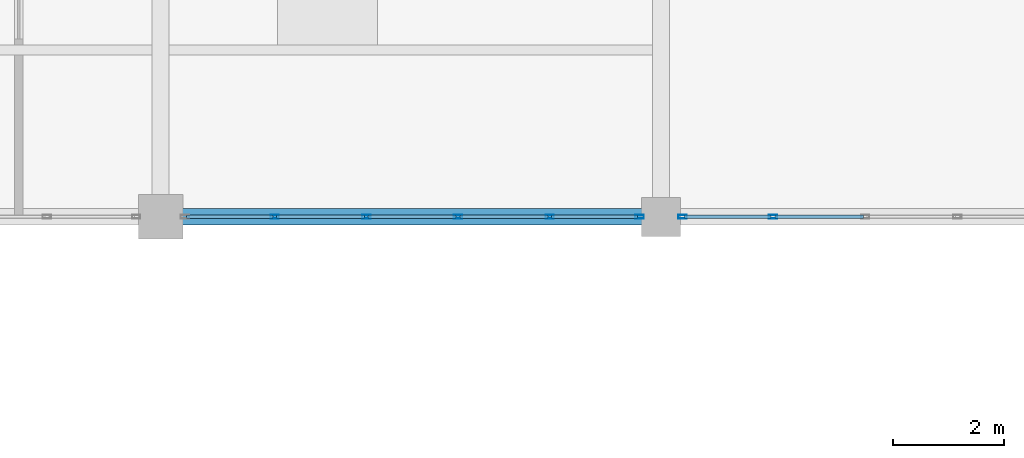
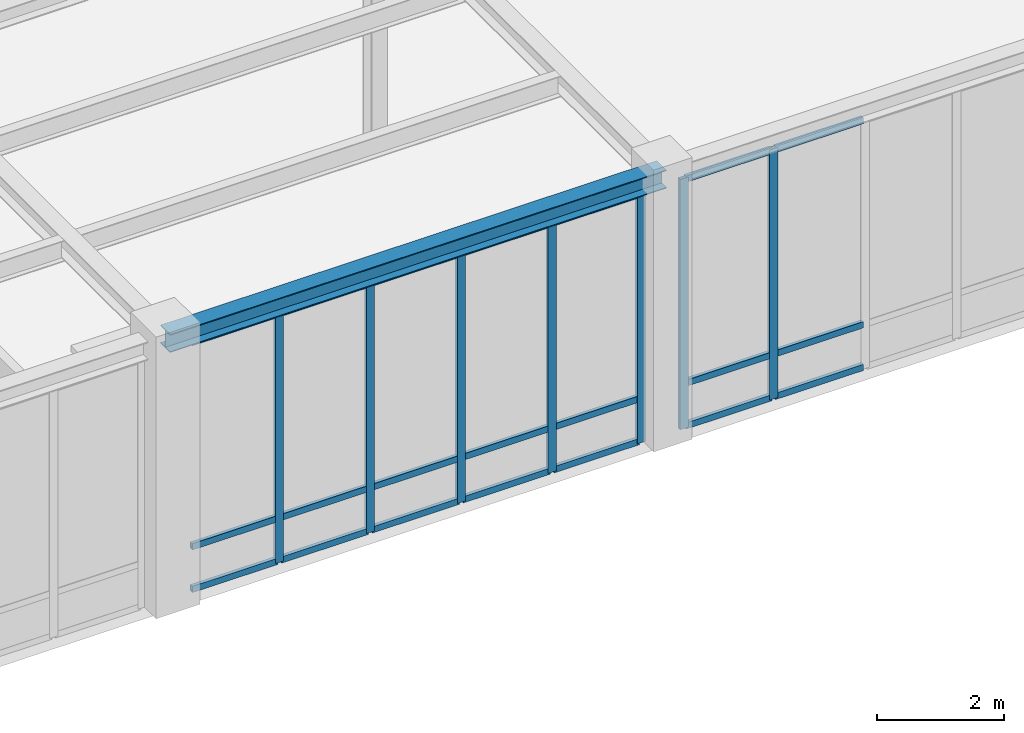
# One storey, part 27 of 77: 28 members, 1 beam, 2 elements without a shape of their own.
"""IFC4 building model written with IfcOpenShell, lengths in metres."""

from ifc_helpers import new_model, si_unit, direction, frame, origin, origin_2d, place, context, subcontext, project, spatial, hollow_rectangle, i_section, extrude, material, material_profile, profile_set, type_object, element, aggregate, save


model = new_model("IFC4")

# Units and contexts
model_context = context("Model", 3, precision=1e-05, world=origin(), true_north=direction((0.0, 1.0)))
body_context = subcontext(model_context, "Body", "Model", "MODEL_VIEW")
ifc_project = project(units=[si_unit("LENGTHUNIT", "METRE"), si_unit("AREAUNIT", "SQUARE_METRE"), si_unit("VOLUMEUNIT", "CUBIC_METRE"), si_unit("PLANEANGLEUNIT", "RADIAN"), si_unit("MASSUNIT", "GRAM", prefix="KILO")], contexts=[model_context])

# Site, building, storey
site_placement = place(None, origin())
site = spatial("IfcSite", under=ifc_project, at=site_placement, CompositionType="ELEMENT")
building_placement = place(site_placement, origin())
building = spatial("IfcBuilding", under=site, at=building_placement, Name="Lykobir Media Centre", CompositionType="ELEMENT")
storey_placement = place(building_placement, origin())
storey = spatial("IfcBuildingStorey", under=building, at=storey_placement, Name="L00", CompositionType="ELEMENT", Elevation=0.0)

# Curtain wall, members
ifc_material_1 = material(Name="Anodized Aluminium AW-6060", Category="aluminium")
curtain_wall_type = type_object("IfcCurtainWallType", Name="CW-COURT-A", PredefinedType="NOTDEFINED", material=ifc_material_1)
curtain_wall_1_placement = place(storey_placement, origin())
curtain_wall_1 = element("IfcCurtainWall", 1, at=curtain_wall_1_placement, inside=storey, type_object=curtain_wall_type, Name="Curtain wall CW2-L00-0020", PredefinedType="NOTDEFINED")
ifc_material_profile_1 = material_profile(ifc_material_1, hollow_rectangle(XDim=0.06494140625, YDim=0.14990234375, WallThickness=0.00341796875, at=origin_2d()), Name="ALU MULLION 65x150")
ifc_profile_set_1 = profile_set([ifc_material_profile_1], Name="Anodized Aluminium AW-6060")
member_type_1 = type_object("IfcMemberType", Name="CWM-150", PredefinedType="MULLION", material=ifc_profile_set_1)
member_1_placement = place(storey_placement, frame((53.612548828125, 63.0, 0.0), z_axis=(0.0, 0.0, 1.0), x_axis=(0.0, -1.0, 0.0)))
member_1 = element("IfcMember", 2, at=member_1_placement, type_object=member_type_1, Name="CW2-L00-0020 mullion 1", PredefinedType="MULLION", context=body_context, shape_type="SweptSolid", body=[
    extrude(hollow_rectangle(XDim=0.06494140625, YDim=0.14990234375, WallThickness=0.00341796875, at=origin_2d()), origin(), (0.0, 0.0, 1.0), 4.794921875),
])
member_2_placement = place(storey_placement, frame((51.9970703125, 63.0, 0.0), z_axis=(0.0, 0.0, 1.0), x_axis=(0.0, -1.0, 0.0)))
member_2 = element("IfcMember", 3, at=member_2_placement, type_object=member_type_1, Name="CW2-L00-0020 mullion 2", PredefinedType="MULLION", context=body_context, shape_type="SweptSolid", body=[
    extrude(hollow_rectangle(XDim=0.06494140625, YDim=0.14990234375, WallThickness=0.00341796875, at=origin_2d()), origin(), (0.0, 0.0, 1.0), 4.794921875),
])
member_3_placement = place(storey_placement, frame((50.34912109375, 63.0, 0.0), z_axis=(0.0, 0.0, 1.0), x_axis=(0.0, -1.0, 0.0)))
member_3 = element("IfcMember", 4, at=member_3_placement, type_object=member_type_1, Name="CW2-L00-0020 mullion 3", PredefinedType="MULLION", context=body_context, shape_type="SweptSolid", body=[
    extrude(hollow_rectangle(XDim=0.06494140625, YDim=0.14990234375, WallThickness=0.00341796875, at=origin_2d()), origin(), (0.0, 0.0, 1.0), 4.794921875),
])
member_4_placement = place(storey_placement, frame((48.700927734375, 63.0, 0.0), z_axis=(0.0, 0.0, 1.0), x_axis=(0.0, -1.0, 0.0)))
member_4 = element("IfcMember", 5, at=member_4_placement, type_object=member_type_1, Name="CW2-L00-0020 mullion 4", PredefinedType="MULLION", context=body_context, shape_type="SweptSolid", body=[
    extrude(hollow_rectangle(XDim=0.06494140625, YDim=0.14990234375, WallThickness=0.00341796875, at=origin_2d()), origin(), (0.0, 0.0, 1.0), 4.794921875),
])
member_5_placement = place(storey_placement, frame((47.052978515625, 63.0, 0.0), z_axis=(0.0, 0.0, 1.0), x_axis=(0.0, -1.0, 0.0)))
member_5 = element("IfcMember", 6, at=member_5_placement, type_object=member_type_1, Name="CW2-L00-0020 mullion 5", PredefinedType="MULLION", context=body_context, shape_type="SweptSolid", body=[
    extrude(hollow_rectangle(XDim=0.06494140625, YDim=0.14990234375, WallThickness=0.00341796875, at=origin_2d()), origin(), (0.0, 0.0, 1.0), 4.794921875),
])

curtain_wall_2_placement = place(storey_placement, origin())
curtain_wall_2 = element("IfcCurtainWall", 7, at=curtain_wall_2_placement, inside=storey, type_object=curtain_wall_type, Name="Curtain wall CW2-L00-0021", PredefinedType="NOTDEFINED")
member_6_placement = place(storey_placement, frame((56.012939453125, 63.0, 0.0), z_axis=(0.0, 0.0, 1.0), x_axis=(0.0, -1.0, 0.0)))
member_6 = element("IfcMember", 8, at=member_6_placement, type_object=member_type_1, Name="CW2-L00-0021 mullion 5", PredefinedType="MULLION", context=body_context, shape_type="SweptSolid", body=[
    extrude(hollow_rectangle(XDim=0.06494140625, YDim=0.14990234375, WallThickness=0.00341796875, at=origin_2d()), origin(), (0.0, 0.0, 1.0), 4.794921875),
])
member_7_placement = place(storey_placement, frame((54.387451171875, 63.0, 0.0), z_axis=(0.0, 0.0, 1.0), x_axis=(0.0, -1.0, 0.0)))
member_7 = element("IfcMember", 9, at=member_7_placement, type_object=member_type_1, Name="CW2-L00-0021 mullion 6", PredefinedType="MULLION", context=body_context, shape_type="SweptSolid", body=[
    extrude(hollow_rectangle(XDim=0.06494140625, YDim=0.14990234375, WallThickness=0.00341796875, at=origin_2d()), origin(), (0.0, 0.0, 1.0), 4.794921875),
])

# Member
ifc_material_profile_2 = material_profile(ifc_material_1, hollow_rectangle(XDim=0.06494140625, YDim=0.1201171875, WallThickness=0.0029296875, at=origin_2d()), Name="ALU TRANSOM 65x120")
ifc_profile_set_2 = profile_set([ifc_material_profile_2], Name="Anodized Aluminium AW-6060")
member_type_2 = type_object("IfcMemberType", Name="CWT-120", PredefinedType="USERDEFINED", material=ifc_profile_set_2)
member_8_placement = place(storey_placement, frame((53.580078125, 63.0, 0.032470703125), z_axis=(-1.0, 0.0, 0.0), x_axis=(0.0, -1.0, 0.0)))
member_8 = element("IfcMember", 10, at=member_8_placement, type_object=member_type_2, Name="CW2-L00-0020 transom 1.1", ObjectType="TRANSOM", PredefinedType="USERDEFINED", context=body_context, shape_type="SweptSolid", body=[
    extrude(hollow_rectangle(XDim=0.06494140625, YDim=0.1201171875, WallThickness=0.0029296875, at=origin_2d()), origin(), (0.0, 0.0, 1.0), 1.550537109375),
])

member_9_placement = place(storey_placement, frame((53.580078125, 63.0, 0.85009765625), z_axis=(-1.0, 0.0, 0.0), x_axis=(0.0, -1.0, 0.0)))
member_9 = element("IfcMember", 11, at=member_9_placement, type_object=member_type_2, Name="CW2-L00-0020 transom 1.2", ObjectType="TRANSOM", PredefinedType="USERDEFINED", context=body_context, shape_type="SweptSolid", body=[
    extrude(hollow_rectangle(XDim=0.06494140625, YDim=0.1201171875, WallThickness=0.0029296875, at=origin_2d()), origin(), (0.0, 0.0, 1.0), 1.550537109375),
])

member_10_placement = place(storey_placement, frame((53.580078125, 63.0, 4.762451171875), z_axis=(-1.0, 0.0, 0.0), x_axis=(0.0, -1.0, 0.0)))
member_10 = element("IfcMember", 12, at=member_10_placement, type_object=member_type_2, Name="CW2-L00-0020 transom 1.3", ObjectType="TRANSOM", PredefinedType="USERDEFINED", context=body_context, shape_type="SweptSolid", body=[
    extrude(hollow_rectangle(XDim=0.06494140625, YDim=0.1201171875, WallThickness=0.0029296875, at=origin_2d()), origin(), (0.0, 0.0, 1.0), 1.550537109375),
])

member_11_placement = place(storey_placement, frame((51.964599609375, 63.0, 0.032470703125), z_axis=(-1.0, 0.0, 0.0), x_axis=(0.0, -1.0, 0.0)))
member_11 = element("IfcMember", 13, at=member_11_placement, type_object=member_type_2, Name="CW2-L00-0020 transom 2.1", ObjectType="TRANSOM", PredefinedType="USERDEFINED", context=body_context, shape_type="SweptSolid", body=[
    extrude(hollow_rectangle(XDim=0.06494140625, YDim=0.1201171875, WallThickness=0.0029296875, at=origin_2d()), origin(), (0.0, 0.0, 1.0), 1.5830078125),
])

member_12_placement = place(storey_placement, frame((51.964599609375, 63.0, 0.85009765625), z_axis=(-1.0, 0.0, 0.0), x_axis=(0.0, -1.0, 0.0)))
member_12 = element("IfcMember", 14, at=member_12_placement, type_object=member_type_2, Name="CW2-L00-0020 transom 2.2", ObjectType="TRANSOM", PredefinedType="USERDEFINED", context=body_context, shape_type="SweptSolid", body=[
    extrude(hollow_rectangle(XDim=0.06494140625, YDim=0.1201171875, WallThickness=0.0029296875, at=origin_2d()), origin(), (0.0, 0.0, 1.0), 1.5830078125),
])

member_13_placement = place(storey_placement, frame((51.964599609375, 63.0, 4.762451171875), z_axis=(-1.0, 0.0, 0.0), x_axis=(0.0, -1.0, 0.0)))
member_13 = element("IfcMember", 15, at=member_13_placement, type_object=member_type_2, Name="CW2-L00-0020 transom 2.3", ObjectType="TRANSOM", PredefinedType="USERDEFINED", context=body_context, shape_type="SweptSolid", body=[
    extrude(hollow_rectangle(XDim=0.06494140625, YDim=0.1201171875, WallThickness=0.0029296875, at=origin_2d()), origin(), (0.0, 0.0, 1.0), 1.5830078125),
])

member_14_placement = place(storey_placement, frame((50.31640625, 63.0, 0.032470703125), z_axis=(-1.0, 0.0, 0.0), x_axis=(0.0, -1.0, 0.0)))
member_14 = element("IfcMember", 16, at=member_14_placement, type_object=member_type_2, Name="CW2-L00-0020 transom 3.1", ObjectType="TRANSOM", PredefinedType="USERDEFINED", context=body_context, shape_type="SweptSolid", body=[
    extrude(hollow_rectangle(XDim=0.06494140625, YDim=0.1201171875, WallThickness=0.0029296875, at=origin_2d()), origin(), (0.0, 0.0, 1.0), 1.5830078125),
])

member_15_placement = place(storey_placement, frame((50.31640625, 63.0, 0.85009765625), z_axis=(-1.0, 0.0, 0.0), x_axis=(0.0, -1.0, 0.0)))
member_15 = element("IfcMember", 17, at=member_15_placement, type_object=member_type_2, Name="CW2-L00-0020 transom 3.2", ObjectType="TRANSOM", PredefinedType="USERDEFINED", context=body_context, shape_type="SweptSolid", body=[
    extrude(hollow_rectangle(XDim=0.06494140625, YDim=0.1201171875, WallThickness=0.0029296875, at=origin_2d()), origin(), (0.0, 0.0, 1.0), 1.5830078125),
])

member_16_placement = place(storey_placement, frame((50.31640625, 63.0, 4.762451171875), z_axis=(-1.0, 0.0, 0.0), x_axis=(0.0, -1.0, 0.0)))
member_16 = element("IfcMember", 18, at=member_16_placement, type_object=member_type_2, Name="CW2-L00-0020 transom 3.3", ObjectType="TRANSOM", PredefinedType="USERDEFINED", context=body_context, shape_type="SweptSolid", body=[
    extrude(hollow_rectangle(XDim=0.06494140625, YDim=0.1201171875, WallThickness=0.0029296875, at=origin_2d()), origin(), (0.0, 0.0, 1.0), 1.5830078125),
])

member_17_placement = place(storey_placement, frame((48.66845703125, 63.0, 0.032470703125), z_axis=(-1.0, 0.0, 0.0), x_axis=(0.0, -1.0, 0.0)))
member_17 = element("IfcMember", 19, at=member_17_placement, type_object=member_type_2, Name="CW2-L00-0020 transom 4.1", ObjectType="TRANSOM", PredefinedType="USERDEFINED", context=body_context, shape_type="SweptSolid", body=[
    extrude(hollow_rectangle(XDim=0.06494140625, YDim=0.1201171875, WallThickness=0.0029296875, at=origin_2d()), origin(), (0.0, 0.0, 1.0), 1.5830078125),
])

member_18_placement = place(storey_placement, frame((48.66845703125, 63.0, 0.85009765625), z_axis=(-1.0, 0.0, 0.0), x_axis=(0.0, -1.0, 0.0)))
member_18 = element("IfcMember", 20, at=member_18_placement, type_object=member_type_2, Name="CW2-L00-0020 transom 4.2", ObjectType="TRANSOM", PredefinedType="USERDEFINED", context=body_context, shape_type="SweptSolid", body=[
    extrude(hollow_rectangle(XDim=0.06494140625, YDim=0.1201171875, WallThickness=0.0029296875, at=origin_2d()), origin(), (0.0, 0.0, 1.0), 1.5830078125),
])

member_19_placement = place(storey_placement, frame((48.66845703125, 63.0, 4.762451171875), z_axis=(-1.0, 0.0, 0.0), x_axis=(0.0, -1.0, 0.0)))
member_19 = element("IfcMember", 21, at=member_19_placement, type_object=member_type_2, Name="CW2-L00-0020 transom 4.3", ObjectType="TRANSOM", PredefinedType="USERDEFINED", context=body_context, shape_type="SweptSolid", body=[
    extrude(hollow_rectangle(XDim=0.06494140625, YDim=0.1201171875, WallThickness=0.0029296875, at=origin_2d()), origin(), (0.0, 0.0, 1.0), 1.5830078125),
])

member_20_placement = place(storey_placement, frame((47.0205078125, 63.0, 0.032470703125), z_axis=(-1.0, 0.0, 0.0), x_axis=(0.0, -1.0, 0.0)))
member_20 = element("IfcMember", 22, at=member_20_placement, type_object=member_type_2, Name="CW2-L00-0020 transom 5.1", ObjectType="TRANSOM", PredefinedType="USERDEFINED", context=body_context, shape_type="SweptSolid", body=[
    extrude(hollow_rectangle(XDim=0.06494140625, YDim=0.1201171875, WallThickness=0.0029296875, at=origin_2d()), origin(), (0.0, 0.0, 1.0), 1.550537109375),
])

member_21_placement = place(storey_placement, frame((47.0205078125, 63.0, 0.85009765625), z_axis=(-1.0, 0.0, 0.0), x_axis=(0.0, -1.0, 0.0)))
member_21 = element("IfcMember", 23, at=member_21_placement, type_object=member_type_2, Name="CW2-L00-0020 transom 5.2", ObjectType="TRANSOM", PredefinedType="USERDEFINED", context=body_context, shape_type="SweptSolid", body=[
    extrude(hollow_rectangle(XDim=0.06494140625, YDim=0.1201171875, WallThickness=0.0029296875, at=origin_2d()), origin(), (0.0, 0.0, 1.0), 1.550537109375),
])

member_22_placement = place(storey_placement, frame((47.0205078125, 63.0, 4.762451171875), z_axis=(-1.0, 0.0, 0.0), x_axis=(0.0, -1.0, 0.0)))
member_22 = element("IfcMember", 24, at=member_22_placement, type_object=member_type_2, Name="CW2-L00-0020 transom 5.3", ObjectType="TRANSOM", PredefinedType="USERDEFINED", context=body_context, shape_type="SweptSolid", body=[
    extrude(hollow_rectangle(XDim=0.06494140625, YDim=0.1201171875, WallThickness=0.0029296875, at=origin_2d()), origin(), (0.0, 0.0, 1.0), 1.550537109375),
])

aggregate(curtain_wall_1, [member_1, member_2, member_3, member_4, member_5, member_8, member_9, member_10, member_11, member_12, member_13, member_14, member_15, member_16, member_17, member_18, member_19, member_20, member_21, member_22])

member_23_placement = place(storey_placement, frame((57.638427734375, 63.0, 0.032470703125), z_axis=(-1.0, 0.0, 0.0), x_axis=(0.0, -1.0, 0.0)))
member_23 = element("IfcMember", 25, at=member_23_placement, type_object=member_type_2, Name="CW2-L00-0021 transom 4.1", ObjectType="TRANSOM", PredefinedType="USERDEFINED", context=body_context, shape_type="SweptSolid", body=[
    extrude(hollow_rectangle(XDim=0.06494140625, YDim=0.1201171875, WallThickness=0.0029296875, at=origin_2d()), origin(), (0.0, 0.0, 1.0), 1.593017578125),
])

member_24_placement = place(storey_placement, frame((57.638427734375, 63.0, 0.85009765625), z_axis=(-1.0, 0.0, 0.0), x_axis=(0.0, -1.0, 0.0)))
member_24 = element("IfcMember", 26, at=member_24_placement, type_object=member_type_2, Name="CW2-L00-0021 transom 4.2", ObjectType="TRANSOM", PredefinedType="USERDEFINED", context=body_context, shape_type="SweptSolid", body=[
    extrude(hollow_rectangle(XDim=0.06494140625, YDim=0.1201171875, WallThickness=0.0029296875, at=origin_2d()), origin(), (0.0, 0.0, 1.0), 1.593017578125),
])

member_25_placement = place(storey_placement, frame((57.638427734375, 63.0, 4.762451171875), z_axis=(-1.0, 0.0, 0.0), x_axis=(0.0, -1.0, 0.0)))
member_25 = element("IfcMember", 27, at=member_25_placement, type_object=member_type_2, Name="CW2-L00-0021 transom 4.3", ObjectType="TRANSOM", PredefinedType="USERDEFINED", context=body_context, shape_type="SweptSolid", body=[
    extrude(hollow_rectangle(XDim=0.06494140625, YDim=0.1201171875, WallThickness=0.0029296875, at=origin_2d()), origin(), (0.0, 0.0, 1.0), 1.593017578125),
])

member_26_placement = place(storey_placement, frame((55.98046875, 63.0, 0.032470703125), z_axis=(-1.0, 0.0, 0.0), x_axis=(0.0, -1.0, 0.0)))
member_26 = element("IfcMember", 28, at=member_26_placement, type_object=member_type_2, Name="CW2-L00-0021 transom 5.1", ObjectType="TRANSOM", PredefinedType="USERDEFINED", context=body_context, shape_type="SweptSolid", body=[
    extrude(hollow_rectangle(XDim=0.06494140625, YDim=0.1201171875, WallThickness=0.0029296875, at=origin_2d()), origin(), (0.0, 0.0, 1.0), 1.560546875),
])

member_27_placement = place(storey_placement, frame((55.98046875, 63.0, 0.85009765625), z_axis=(-1.0, 0.0, 0.0), x_axis=(0.0, -1.0, 0.0)))
member_27 = element("IfcMember", 29, at=member_27_placement, type_object=member_type_2, Name="CW2-L00-0021 transom 5.2", ObjectType="TRANSOM", PredefinedType="USERDEFINED", context=body_context, shape_type="SweptSolid", body=[
    extrude(hollow_rectangle(XDim=0.06494140625, YDim=0.1201171875, WallThickness=0.0029296875, at=origin_2d()), origin(), (0.0, 0.0, 1.0), 1.560546875),
])

member_28_placement = place(storey_placement, frame((55.98046875, 63.0, 4.762451171875), z_axis=(-1.0, 0.0, 0.0), x_axis=(0.0, -1.0, 0.0)))
member_28 = element("IfcMember", 30, at=member_28_placement, type_object=member_type_2, Name="CW2-L00-0021 transom 5.3", ObjectType="TRANSOM", PredefinedType="USERDEFINED", context=body_context, shape_type="SweptSolid", body=[
    extrude(hollow_rectangle(XDim=0.06494140625, YDim=0.1201171875, WallThickness=0.0029296875, at=origin_2d()), origin(), (0.0, 0.0, 1.0), 1.560546875),
])

aggregate(curtain_wall_2, [member_6, member_7, member_23, member_24, member_25, member_26, member_27, member_28])

# Beam
ifc_material_2 = material(Name="Steel S355", Category="steel")
ifc_material_profile_3 = material_profile(ifc_material_2, i_section(OverallWidth=0.300048828125, OverallDepth=0.35009765625, WebThickness=0.010009765625, FlangeThickness=0.017578125, at=origin_2d()), Name="HEA 360")
ifc_profile_set_3 = profile_set([ifc_material_profile_3], Name="Steel S355")
beam_type = type_object("IfcBeamType", Name="SP-HEA360", PredefinedType="SPANDREL", material=ifc_profile_set_3)
beam_placement = place(storey_placement, frame((45.0, 63.0, 4.985107421875), z_axis=(1.0, 0.0, 0.0), x_axis=(0.0, 1.0, 0.0)))
element("IfcBeam", 31, at=beam_placement, inside=storey, type_object=beam_type, Name="Beam BM-L00-0450-0630-0540-0630-499", PredefinedType="SPANDREL", context=body_context, shape_type="SweptSolid", body=[
    extrude(i_section(OverallWidth=0.300048828125, OverallDepth=0.35009765625, WebThickness=0.010009765625, FlangeThickness=0.017578125, at=origin_2d()), origin(), (0.0, 0.0, 1.0), 9.0),
])

save(model, "model.ifc")
